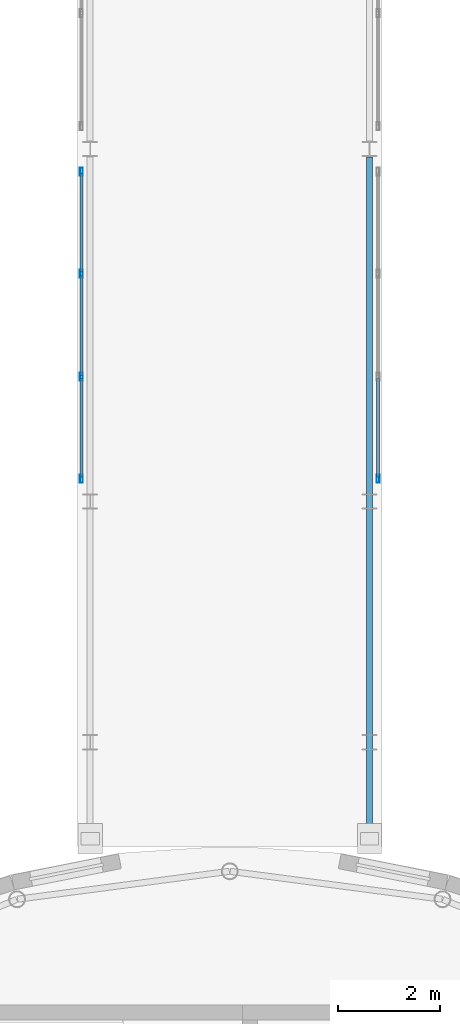
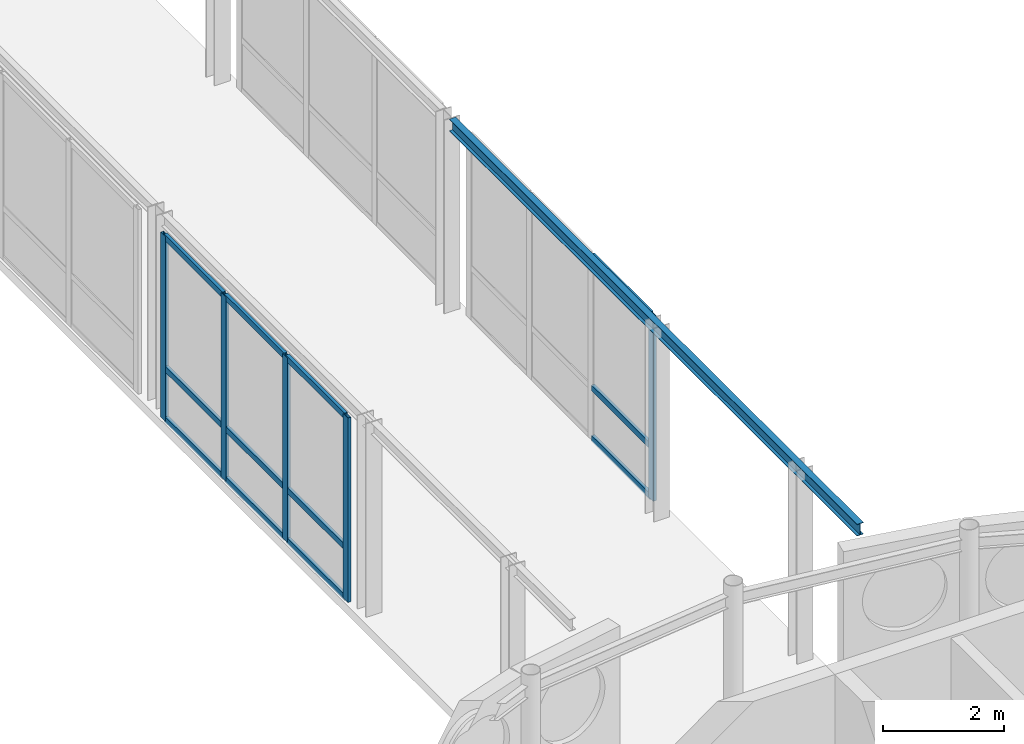
# One storey, part 54 of 189: 17 members, 1 beam, 2 elements without a shape of their own.
"""IFC4 building model written with IfcOpenShell, lengths in metres."""

from ifc_helpers import new_model, si_unit, direction, frame, origin, origin_2d, place, context, subcontext, project, spatial, hollow_rectangle, i_section, extrude, material, layer, layer_set, material_profile, profile_set, type_object, element, aggregate, save


model = new_model("IFC4")

# Units and contexts
model_context = context("Model", 3, precision=1e-05, world=origin(), true_north=direction((0.0, 1.0)))
body_context = subcontext(model_context, "Body", "Model", "MODEL_VIEW")
ifc_project = project(units=[si_unit("LENGTHUNIT", "METRE"), si_unit("AREAUNIT", "SQUARE_METRE"), si_unit("VOLUMEUNIT", "CUBIC_METRE"), si_unit("PLANEANGLEUNIT", "RADIAN"), si_unit("MASSUNIT", "GRAM", prefix="KILO")], contexts=[model_context])

# Site, building, storey
site_placement = place(None, origin())
site = spatial("IfcSite", under=ifc_project, at=site_placement, CompositionType="ELEMENT")
building_placement = place(site_placement, origin())
building = spatial("IfcBuilding", under=site, at=building_placement, Name="Montecoro Central Library", CompositionType="ELEMENT")
storey_placement = place(building_placement, frame((0.0, 0.0, 9.179931640625)))
storey = spatial("IfcBuildingStorey", under=building, at=storey_placement, Name="L02", CompositionType="ELEMENT", Elevation=9.179931640625)

# Beam
ifc_material_1 = material(Name="Steel S355", Category="steel")
ifc_material_profile_1 = material_profile(ifc_material_1, i_section(OverallWidth=0.1201171875, OverallDepth=0.239990234375, WebThickness=0.006103515625, FlangeThickness=0.009765625, at=origin_2d()), Name="IPE 240")
ifc_profile_set_1 = profile_set([ifc_material_profile_1], Name="Steel S355")
beam_type = type_object("IfcBeamType", Name="BM-SP-IPE240", PredefinedType="SPANDREL", material=ifc_profile_set_1)
beam_placement = place(storey_placement, frame((94.35009765625, 52.139892578125, 3.7880859375), z_axis=(0.0, 1.0, 0.0), x_axis=(-1.0, 0.0, 0.0)))
element("IfcBeam", 1, at=beam_placement, inside=storey, type_object=beam_type, Name="BR-N-ROOF-BM-E1", PredefinedType="SPANDREL", context=body_context, shape_type="SweptSolid", body=[
    extrude(i_section(OverallWidth=0.1201171875, OverallDepth=0.239990234375, WebThickness=0.006103515625, FlangeThickness=0.009765625, at=origin_2d()), origin(), (0.0, 0.0, 1.0), 13.5),
])

# Curtain wall, members
ifc_material_2 = material(Name="Bronze-anodised aluminium and low-E glazing", Category="aluminium")
ifc_layer = layer(ifc_material_2, 0.159912109375)
ifc_layer_set = layer_set([ifc_layer], Name="Bronze-anodised aluminium and low-E glazing")
curtain_wall_type = type_object("IfcCurtainWallType", Name="CWT-077", PredefinedType="NOTDEFINED", material=ifc_layer_set)
curtain_wall_1_placement = place(storey_placement, origin())
curtain_wall_1 = element("IfcCurtainWall", 2, at=curtain_wall_1_placement, inside=storey, type_object=curtain_wall_type, Name="BR-N-L02-CW-W1", PredefinedType="NOTDEFINED")
ifc_material_3 = material(Name="Bronze-anodised aluminium", Category="aluminium")
ifc_material_profile_2 = material_profile(ifc_material_3, hollow_rectangle(XDim=0.06005859375, YDim=0.159912109375, WallThickness=0.00390625, at=origin_2d()), Name="CWM 160x60x4.0")
ifc_profile_set_2 = profile_set([ifc_material_profile_2], Name="Bronze-anodised aluminium")
member_type_1 = type_object("IfcMemberType", Name="CWM-BRZ-60", PredefinedType="MULLION", material=ifc_profile_set_2)
member_1_placement = place(storey_placement, frame((88.679931640625, 59.31005859375, 0.0), z_axis=(0.0, 0.0, 1.0), x_axis=(-1.0, 0.0, 0.0)))
member_1 = element("IfcMember", 3, at=member_1_placement, type_object=member_type_1, Name="CW-077 mullion 1", PredefinedType="MULLION", context=body_context, shape_type="SweptSolid", body=[
    extrude(hollow_rectangle(XDim=0.06005859375, YDim=0.159912109375, WallThickness=0.00390625, at=origin_2d()), origin(), (0.0, 0.0, 1.0), 3.72998046875),
])
member_2_placement = place(storey_placement, frame((88.679931640625, 61.313232421875, 0.0), z_axis=(0.0, 0.0, 1.0), x_axis=(-1.0, 0.0, 0.0)))
member_2 = element("IfcMember", 4, at=member_2_placement, type_object=member_type_1, Name="CW-077 mullion 2", PredefinedType="MULLION", context=body_context, shape_type="SweptSolid", body=[
    extrude(hollow_rectangle(XDim=0.06005859375, YDim=0.159912109375, WallThickness=0.00390625, at=origin_2d()), origin(), (0.0, 0.0, 1.0), 3.72998046875),
])
member_3_placement = place(storey_placement, frame((88.679931640625, 63.3466796875, 0.0), z_axis=(0.0, 0.0, 1.0), x_axis=(-1.0, 0.0, 0.0)))
member_3 = element("IfcMember", 5, at=member_3_placement, type_object=member_type_1, Name="CW-077 mullion 3", PredefinedType="MULLION", context=body_context, shape_type="SweptSolid", body=[
    extrude(hollow_rectangle(XDim=0.06005859375, YDim=0.159912109375, WallThickness=0.00390625, at=origin_2d()), origin(), (0.0, 0.0, 1.0), 3.72998046875),
])
member_4_placement = place(storey_placement, frame((88.679931640625, 65.35009765625, 0.0), z_axis=(0.0, 0.0, 1.0), x_axis=(-1.0, 0.0, 0.0)))
member_4 = element("IfcMember", 6, at=member_4_placement, type_object=member_type_1, Name="CW-077 mullion 4", PredefinedType="MULLION", context=body_context, shape_type="SweptSolid", body=[
    extrude(hollow_rectangle(XDim=0.06005859375, YDim=0.159912109375, WallThickness=0.00390625, at=origin_2d()), origin(), (0.0, 0.0, 1.0), 3.72998046875),
])

# Curtain wall, member
curtain_wall_2_placement = place(storey_placement, origin())
curtain_wall_2 = element("IfcCurtainWall", 7, at=curtain_wall_2_placement, inside=storey, type_object=curtain_wall_type, Name="BR-N-L02-CW-E1", PredefinedType="NOTDEFINED")
member_5_placement = place(storey_placement, frame((94.52001953125, 59.31005859375, 0.0), z_axis=(0.0, 0.0, 1.0), x_axis=(-1.0, 0.0, 0.0)))
member_5 = element("IfcMember", 8, at=member_5_placement, type_object=member_type_1, Name="CW-077 mullion 1", PredefinedType="MULLION", context=body_context, shape_type="SweptSolid", body=[
    extrude(hollow_rectangle(XDim=0.06005859375, YDim=0.159912109375, WallThickness=0.00390625, at=origin_2d()), origin(), (0.0, 0.0, 1.0), 3.72998046875),
])

# Member
ifc_material_profile_3 = material_profile(ifc_material_3, hollow_rectangle(XDim=0.06005859375, YDim=0.1201171875, WallThickness=0.00390625, at=origin_2d()), Name="CWT 120x60x4.0")
ifc_profile_set_3 = profile_set([ifc_material_profile_3], Name="Bronze-anodised aluminium")
member_type_2 = type_object("IfcMemberType", Name="CWT-BRZ-60", PredefinedType="USERDEFINED", material=ifc_profile_set_3)
member_6_placement = place(storey_placement, frame((88.679931640625, 59.340087890625, 0.030029296875), z_axis=(0.0, 1.0, 0.0), x_axis=(-1.0, 0.0, 0.0)))
member_6 = element("IfcMember", 9, at=member_6_placement, type_object=member_type_2, Name="CW-077 transom 1.1", ObjectType="TRANSOM", PredefinedType="USERDEFINED", context=body_context, shape_type="SweptSolid", body=[
    extrude(hollow_rectangle(XDim=0.06005859375, YDim=0.1201171875, WallThickness=0.00390625, at=origin_2d()), origin(), (0.0, 0.0, 1.0), 1.943359375),
])

member_7_placement = place(storey_placement, frame((88.679931640625, 59.340087890625, 1.050048828125), z_axis=(0.0, 1.0, 0.0), x_axis=(-1.0, 0.0, 0.0)))
member_7 = element("IfcMember", 10, at=member_7_placement, type_object=member_type_2, Name="CW-077 transom 1.2", ObjectType="TRANSOM", PredefinedType="USERDEFINED", context=body_context, shape_type="SweptSolid", body=[
    extrude(hollow_rectangle(XDim=0.06005859375, YDim=0.1201171875, WallThickness=0.00390625, at=origin_2d()), origin(), (0.0, 0.0, 1.0), 1.943359375),
])

member_8_placement = place(storey_placement, frame((88.679931640625, 59.340087890625, 3.699951171875), z_axis=(0.0, 1.0, 0.0), x_axis=(-1.0, 0.0, 0.0)))
member_8 = element("IfcMember", 11, at=member_8_placement, type_object=member_type_2, Name="CW-077 transom 1.3", ObjectType="TRANSOM", PredefinedType="USERDEFINED", context=body_context, shape_type="SweptSolid", body=[
    extrude(hollow_rectangle(XDim=0.06005859375, YDim=0.1201171875, WallThickness=0.00390625, at=origin_2d()), origin(), (0.0, 0.0, 1.0), 1.943359375),
])

member_9_placement = place(storey_placement, frame((88.679931640625, 61.34326171875, 0.030029296875), z_axis=(0.0, 1.0, 0.0), x_axis=(-1.0, 0.0, 0.0)))
member_9 = element("IfcMember", 12, at=member_9_placement, type_object=member_type_2, Name="CW-077 transom 2.1", ObjectType="TRANSOM", PredefinedType="USERDEFINED", context=body_context, shape_type="SweptSolid", body=[
    extrude(hollow_rectangle(XDim=0.06005859375, YDim=0.1201171875, WallThickness=0.00390625, at=origin_2d()), origin(), (0.0, 0.0, 1.0), 1.973388671875),
])

member_10_placement = place(storey_placement, frame((88.679931640625, 61.34326171875, 1.050048828125), z_axis=(0.0, 1.0, 0.0), x_axis=(-1.0, 0.0, 0.0)))
member_10 = element("IfcMember", 13, at=member_10_placement, type_object=member_type_2, Name="CW-077 transom 2.2", ObjectType="TRANSOM", PredefinedType="USERDEFINED", context=body_context, shape_type="SweptSolid", body=[
    extrude(hollow_rectangle(XDim=0.06005859375, YDim=0.1201171875, WallThickness=0.00390625, at=origin_2d()), origin(), (0.0, 0.0, 1.0), 1.973388671875),
])

member_11_placement = place(storey_placement, frame((88.679931640625, 61.34326171875, 3.699951171875), z_axis=(0.0, 1.0, 0.0), x_axis=(-1.0, 0.0, 0.0)))
member_11 = element("IfcMember", 14, at=member_11_placement, type_object=member_type_2, Name="CW-077 transom 2.3", ObjectType="TRANSOM", PredefinedType="USERDEFINED", context=body_context, shape_type="SweptSolid", body=[
    extrude(hollow_rectangle(XDim=0.06005859375, YDim=0.1201171875, WallThickness=0.00390625, at=origin_2d()), origin(), (0.0, 0.0, 1.0), 1.973388671875),
])

member_12_placement = place(storey_placement, frame((88.679931640625, 63.376708984375, 0.030029296875), z_axis=(0.0, 1.0, 0.0), x_axis=(-1.0, 0.0, 0.0)))
member_12 = element("IfcMember", 15, at=member_12_placement, type_object=member_type_2, Name="CW-077 transom 3.1", ObjectType="TRANSOM", PredefinedType="USERDEFINED", context=body_context, shape_type="SweptSolid", body=[
    extrude(hollow_rectangle(XDim=0.06005859375, YDim=0.1201171875, WallThickness=0.00390625, at=origin_2d()), origin(), (0.0, 0.0, 1.0), 1.943359375),
])

member_13_placement = place(storey_placement, frame((88.679931640625, 63.376708984375, 1.050048828125), z_axis=(0.0, 1.0, 0.0), x_axis=(-1.0, 0.0, 0.0)))
member_13 = element("IfcMember", 16, at=member_13_placement, type_object=member_type_2, Name="CW-077 transom 3.2", ObjectType="TRANSOM", PredefinedType="USERDEFINED", context=body_context, shape_type="SweptSolid", body=[
    extrude(hollow_rectangle(XDim=0.06005859375, YDim=0.1201171875, WallThickness=0.00390625, at=origin_2d()), origin(), (0.0, 0.0, 1.0), 1.943359375),
])

member_14_placement = place(storey_placement, frame((88.679931640625, 63.376708984375, 3.699951171875), z_axis=(0.0, 1.0, 0.0), x_axis=(-1.0, 0.0, 0.0)))
member_14 = element("IfcMember", 17, at=member_14_placement, type_object=member_type_2, Name="CW-077 transom 3.3", ObjectType="TRANSOM", PredefinedType="USERDEFINED", context=body_context, shape_type="SweptSolid", body=[
    extrude(hollow_rectangle(XDim=0.06005859375, YDim=0.1201171875, WallThickness=0.00390625, at=origin_2d()), origin(), (0.0, 0.0, 1.0), 1.943359375),
])

aggregate(curtain_wall_1, [member_1, member_2, member_3, member_4, member_6, member_7, member_8, member_9, member_10, member_11, member_12, member_13, member_14])

member_15_placement = place(storey_placement, frame((94.52001953125, 59.340087890625, 0.030029296875), z_axis=(0.0, 1.0, 0.0), x_axis=(-1.0, 0.0, 0.0)))
member_15 = element("IfcMember", 18, at=member_15_placement, type_object=member_type_2, Name="CW-077 transom 1.1", ObjectType="TRANSOM", PredefinedType="USERDEFINED", context=body_context, shape_type="SweptSolid", body=[
    extrude(hollow_rectangle(XDim=0.06005859375, YDim=0.1201171875, WallThickness=0.00390625, at=origin_2d()), origin(), (0.0, 0.0, 1.0), 1.943359375),
])

member_16_placement = place(storey_placement, frame((94.52001953125, 59.340087890625, 1.050048828125), z_axis=(0.0, 1.0, 0.0), x_axis=(-1.0, 0.0, 0.0)))
member_16 = element("IfcMember", 19, at=member_16_placement, type_object=member_type_2, Name="CW-077 transom 1.2", ObjectType="TRANSOM", PredefinedType="USERDEFINED", context=body_context, shape_type="SweptSolid", body=[
    extrude(hollow_rectangle(XDim=0.06005859375, YDim=0.1201171875, WallThickness=0.00390625, at=origin_2d()), origin(), (0.0, 0.0, 1.0), 1.943359375),
])

member_17_placement = place(storey_placement, frame((94.52001953125, 59.340087890625, 3.699951171875), z_axis=(0.0, 1.0, 0.0), x_axis=(-1.0, 0.0, 0.0)))
member_17 = element("IfcMember", 20, at=member_17_placement, type_object=member_type_2, Name="CW-077 transom 1.3", ObjectType="TRANSOM", PredefinedType="USERDEFINED", context=body_context, shape_type="SweptSolid", body=[
    extrude(hollow_rectangle(XDim=0.06005859375, YDim=0.1201171875, WallThickness=0.00390625, at=origin_2d()), origin(), (0.0, 0.0, 1.0), 1.943359375),
])

aggregate(curtain_wall_2, [member_5, member_15, member_16, member_17])

save(model, "model.ifc")
